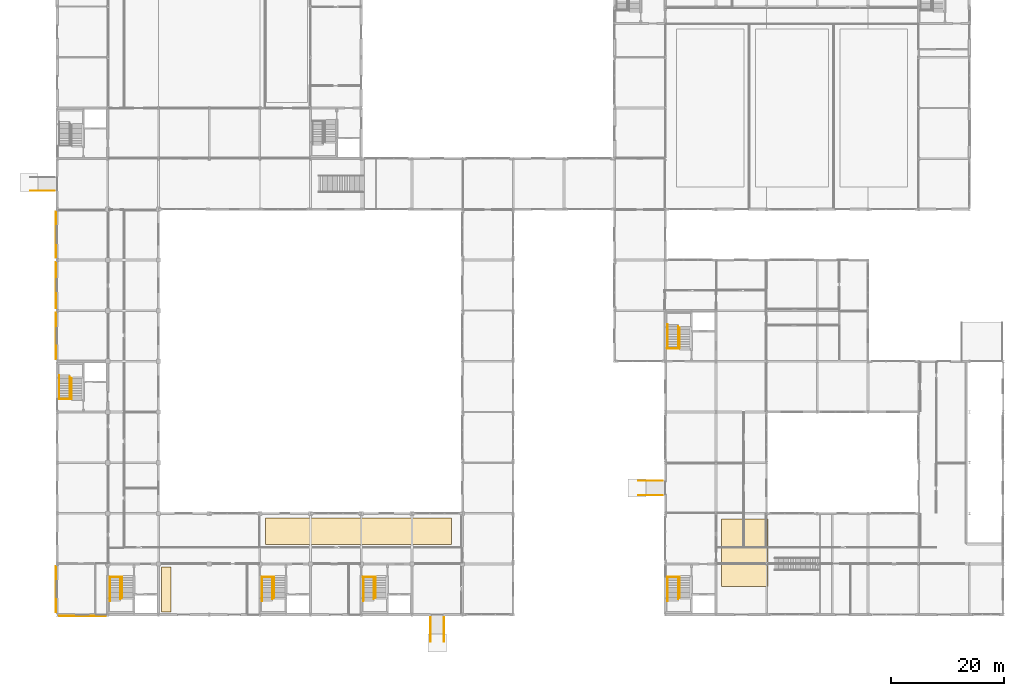
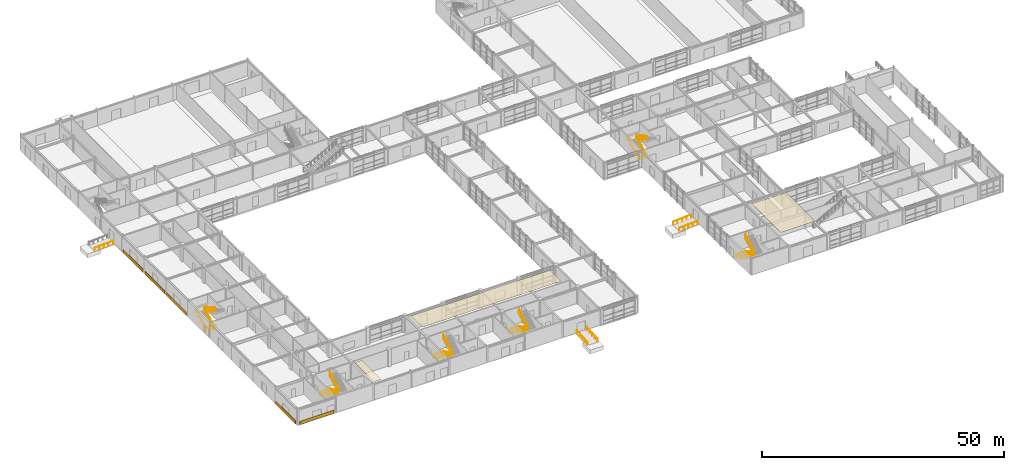
# One storey, part 70 of 72: 23 railings, 8 coverings.
"""IFC4 building model written with IfcOpenShell, lengths in metres."""

from ifc_helpers import new_model, si_unit, direction, frame, origin, origin_2d, place, context, subcontext, project, spatial, polyline, rectangle, circle, outline, extrude, material, layer, layer_set, type_object, element, save


model = new_model("IFC4")

# Units and contexts
model_context = context("Model", 3, precision=1e-05, world=origin(), true_north=direction((0.0, 1.0)))
body_context = subcontext(model_context, "Body", "Model", "MODEL_VIEW")
ifc_project = project(units=[si_unit("LENGTHUNIT", "METRE"), si_unit("AREAUNIT", "SQUARE_METRE"), si_unit("VOLUMEUNIT", "CUBIC_METRE"), si_unit("PLANEANGLEUNIT", "RADIAN"), si_unit("MASSUNIT", "GRAM", prefix="KILO")], contexts=[model_context])

# Site, building, storey
site_placement = place(None, origin())
site = spatial("IfcSite", under=ifc_project, at=site_placement, CompositionType="ELEMENT")
building_placement = place(site_placement, origin())
building = spatial("IfcBuilding", under=site, at=building_placement, Name="Palais des Congres Ocreval", CompositionType="ELEMENT")
storey_placement = place(building_placement, origin())
storey = spatial("IfcBuildingStorey", under=building, at=storey_placement, Name="L00", CompositionType="ELEMENT", Elevation=0.0)

# Coverings
ifc_material_1 = material(Name="Solid French oak acoustic ceiling", Category="wood")
ifc_layer_1 = layer(ifc_material_1, 0.0400390625)
ifc_layer_set_1 = layer_set([ifc_layer_1], Name="Acoustic Perforated Timber Ceiling 40 (Solid French oak acoustic ceiling)")
covering_type_1 = type_object("IfcCoveringType", Name="Acoustic Perforated Timber Ceiling 40", PredefinedType="CEILING", material=ifc_layer_set_1)
covering_1_placement = place(storey_placement, frame((0.0, 0.0, 4.02490234375)))
element("IfcCovering", 1, at=covering_1_placement, inside=storey, type_object=covering_type_1, Name="Hotel Entrance Lobby West Coffered Ceiling", PredefinedType="CEILING", context=body_context, shape_type="SweptSolid", body=[
    extrude(outline(polyline([(18.5, 0.5), (20.199951171875, 0.5), (20.199951171875, 8.5), (18.5, 8.5), (18.5, 0.5)])), origin(), (0.0, 0.0, 1.0), 0.0400390625),
])
covering_2_placement = place(storey_placement, frame((0.0, 0.0, 4.02490234375)))
element("IfcCovering", 2, at=covering_2_placement, inside=storey, type_object=covering_type_1, Name="Brasserie Restaurant Acoustic Ceiling", PredefinedType="CEILING", context=body_context, shape_type="SweptSolid", body=[
    extrude(outline(polyline([(37.0, 12.5), (70.0, 12.5), (70.0, 17.199951171875), (37.0, 17.199951171875), (37.0, 12.5)])), origin(), (0.0, 0.0, 1.0), 0.0400390625),
])
covering_3_placement = place(storey_placement, frame((0.0, 0.0, 4.02490234375)))
element("IfcCovering", 3, at=covering_3_placement, inside=storey, type_object=covering_type_1, Name="Exhibition Gallery Acoustic Ceiling", PredefinedType="CEILING", context=body_context, shape_type="SweptSolid", body=[
    extrude(outline(polyline([(118.0, 5.0), (126.199951171875, 5.0), (126.199951171875, 17.0), (118.0, 17.0), (118.0, 5.0)])), origin(), (0.0, 0.0, 1.0), 0.0400390625),
])

# Railings
ifc_material_2 = material(Name="Anodized bronze aluminium", Category="aluminium")
railing_type_1 = type_object("IfcRailingType", Name="Bronze Stair and Ramp Handrail 900", PredefinedType="HANDRAIL", material=ifc_material_2)
for number, where, name in (
    (4, (9.3798828125, 6.64990234375, 0.159912109375), "Stair Wall Handrail ST01 L00"),
    (5, (36.3798828125, 6.64990234375, 0.159912109375), "Stair Wall Handrail ST02 L00"),
):
    element("IfcRailing", number, at=place(storey_placement, frame(where)), inside=storey, type_object=railing_type_1, Name=name, PredefinedType="HANDRAIL", context=body_context, shape_type="SweptSolid", body=[
        extrude(circle(Radius=0.02392578125, at=origin_2d()), frame((0.0, 0.0, 0.8759765625), z_axis=(0.0, -0.882351521365, 0.470590897432), x_axis=(1.0, 0.0, 0.0)), (0.0, 0.0, 1.0), 4.760009765625),
        extrude(circle(Radius=0.02099609375, at=origin_2d()), origin(), (0.0, 0.0, 1.0), 0.851806640625),
        extrude(circle(Radius=0.02099609375, at=origin_2d()), frame((0.0, -1.050048828125, 0.56005859375)), (0.0, 0.0, 1.0), 0.851806640625),
        extrude(circle(Radius=0.02099609375, at=origin_2d()), frame((0.0, -2.10009765625, 1.1201171875)), (0.0, 0.0, 1.0), 0.851806640625),
        extrude(circle(Radius=0.02099609375, at=origin_2d()), frame((0.0, -3.14990234375, 1.679931640625)), (0.0, 0.0, 1.0), 0.851806640625),
        extrude(circle(Radius=0.02099609375, at=origin_2d()), frame((0.0, -4.199951171875, 2.239990234375)), (0.0, 0.0, 1.0), 0.851806640625),
    ])
railing_1_placement = place(storey_placement, frame((0.3798828125, 38.35009765625, 0.159912109375)))
element("IfcRailing", 6, at=railing_1_placement, inside=storey, type_object=railing_type_1, Name="Stair Wall Handrail ST03 L00", PredefinedType="HANDRAIL", context=body_context, shape_type="SweptSolid", body=[
    extrude(circle(Radius=0.02392578125, at=origin_2d()), frame((0.0, 0.0, 0.8759765625), z_axis=(0.0, 0.882351521365, 0.470590897432), x_axis=(-1.0, 0.0, 0.0)), (0.0, 0.0, 1.0), 4.760009765625),
    extrude(circle(Radius=0.02099609375, at=origin_2d()), origin(), (0.0, 0.0, 1.0), 0.851806640625),
    extrude(circle(Radius=0.02099609375, at=origin_2d()), frame((0.0, 1.050048828125, 0.56005859375)), (0.0, 0.0, 1.0), 0.851806640625),
    extrude(circle(Radius=0.02099609375, at=origin_2d()), frame((0.0, 2.10009765625, 1.1201171875)), (0.0, 0.0, 1.0), 0.851806640625),
    extrude(circle(Radius=0.02099609375, at=origin_2d()), frame((0.0, 3.14990234375, 1.679931640625)), (0.0, 0.0, 1.0), 0.851806640625),
    extrude(circle(Radius=0.02099609375, at=origin_2d()), frame((0.0, 4.199951171875, 2.239990234375)), (0.0, 0.0, 1.0), 0.851806640625),
])
for number, where, name in (
    (7, (54.3798828125, 6.64990234375, 0.159912109375), "Stair Wall Handrail ST04 L00"),
    (8, (108.3798828125, 6.64990234375, 0.159912109375), "Stair Wall Handrail ST09 L00"),
):
    element("IfcRailing", number, at=place(storey_placement, frame(where)), inside=storey, type_object=railing_type_1, Name=name, PredefinedType="HANDRAIL", context=body_context, shape_type="SweptSolid", body=[
        extrude(circle(Radius=0.02392578125, at=origin_2d()), frame((0.0, 0.0, 0.8759765625), z_axis=(0.0, -0.882351521365, 0.470590897432), x_axis=(1.0, 0.0, 0.0)), (0.0, 0.0, 1.0), 4.760009765625),
        extrude(circle(Radius=0.02099609375, at=origin_2d()), origin(), (0.0, 0.0, 1.0), 0.851806640625),
        extrude(circle(Radius=0.02099609375, at=origin_2d()), frame((0.0, -1.050048828125, 0.56005859375)), (0.0, 0.0, 1.0), 0.851806640625),
        extrude(circle(Radius=0.02099609375, at=origin_2d()), frame((0.0, -2.10009765625, 1.1201171875)), (0.0, 0.0, 1.0), 0.851806640625),
        extrude(circle(Radius=0.02099609375, at=origin_2d()), frame((0.0, -3.14990234375, 1.679931640625)), (0.0, 0.0, 1.0), 0.851806640625),
        extrude(circle(Radius=0.02099609375, at=origin_2d()), frame((0.0, -4.199951171875, 2.239990234375)), (0.0, 0.0, 1.0), 0.851806640625),
    ])
railing_2_placement = place(storey_placement, frame((108.3798828125, 47.35009765625, 0.159912109375)))
element("IfcRailing", 9, at=railing_2_placement, inside=storey, type_object=railing_type_1, Name="Stair Wall Handrail ST10 L00", PredefinedType="HANDRAIL", context=body_context, shape_type="SweptSolid", body=[
    extrude(circle(Radius=0.02392578125, at=origin_2d()), frame((0.0, 0.0, 0.8759765625), z_axis=(0.0, 0.882351521365, 0.470590897432), x_axis=(-1.0, 0.0, 0.0)), (0.0, 0.0, 1.0), 4.760009765625),
    extrude(circle(Radius=0.02099609375, at=origin_2d()), origin(), (0.0, 0.0, 1.0), 0.851806640625),
    extrude(circle(Radius=0.02099609375, at=origin_2d()), frame((0.0, 1.050048828125, 0.56005859375)), (0.0, 0.0, 1.0), 0.851806640625),
    extrude(circle(Radius=0.02099609375, at=origin_2d()), frame((0.0, 2.10009765625, 1.1201171875)), (0.0, 0.0, 1.0), 0.851806640625),
    extrude(circle(Radius=0.02099609375, at=origin_2d()), frame((0.0, 3.14990234375, 1.679931640625)), (0.0, 0.0, 1.0), 0.851806640625),
    extrude(circle(Radius=0.02099609375, at=origin_2d()), frame((0.0, 4.199951171875, 2.239990234375)), (0.0, 0.0, 1.0), 0.851806640625),
])
railing_3_placement = place(storey_placement, frame((-4.800048828125, 75.31005859375, -0.280029296875)))
element("IfcRailing", 10, at=railing_3_placement, inside=storey, type_object=railing_type_1, Name="West Forecourt Accessible PMR Ramp R3 Handrail 1L", PredefinedType="HANDRAIL", context=body_context, shape_type="SweptSolid", body=[
    extrude(circle(Radius=0.02392578125, at=origin_2d()), frame((0.0, 0.0, 0.8759765625), z_axis=(0.998300931723, 0.0, 0.05826877141), x_axis=(0.0, 1.0, 0.0)), (0.0, 0.0, 1.0), 4.357421875),
    extrude(circle(Radius=0.02099609375, at=origin_2d()), origin(), (0.0, 0.0, 1.0), 0.851806640625),
    extrude(circle(Radius=0.02099609375, at=origin_2d()), frame((1.08740234375, 0.0, 0.0634765625)), (0.0, 0.0, 1.0), 0.851806640625),
    extrude(circle(Radius=0.02099609375, at=origin_2d()), frame((2.175048828125, 0.0, 0.126953125)), (0.0, 0.0, 1.0), 0.851806640625),
    extrude(circle(Radius=0.02099609375, at=origin_2d()), frame((3.2626953125, 0.0, 0.1904296875)), (0.0, 0.0, 1.0), 0.851806640625),
    extrude(circle(Radius=0.02099609375, at=origin_2d()), frame((4.35009765625, 0.0, 0.25390625)), (0.0, 0.0, 1.0), 0.851806640625),
])
for number, where, name in (
    (11, (68.68994140625, -4.800048828125, -0.280029296875), "South Crossroads Accessible PMR Ramp R4 Handrail 1L"),
    (12, (66.31005859375, -4.800048828125, -0.280029296875), "South Crossroads Accessible PMR Ramp R4 Handrail 1R"),
):
    element("IfcRailing", number, at=place(storey_placement, frame(where)), inside=storey, type_object=railing_type_1, Name=name, PredefinedType="HANDRAIL", context=body_context, shape_type="SweptSolid", body=[
        extrude(circle(Radius=0.02392578125, at=origin_2d()), frame((0.0, 0.0, 0.8759765625), z_axis=(0.0, 0.998300931723, 0.05826877141), x_axis=(-1.0, 0.0, 0.0)), (0.0, 0.0, 1.0), 4.357421875),
        extrude(circle(Radius=0.02099609375, at=origin_2d()), origin(), (0.0, 0.0, 1.0), 0.851806640625),
        extrude(circle(Radius=0.02099609375, at=origin_2d()), frame((0.0, 1.08740234375, 0.0634765625)), (0.0, 0.0, 1.0), 0.851806640625),
        extrude(circle(Radius=0.02099609375, at=origin_2d()), frame((0.0, 2.175048828125, 0.126953125)), (0.0, 0.0, 1.0), 0.851806640625),
        extrude(circle(Radius=0.02099609375, at=origin_2d()), frame((0.0, 3.2626953125, 0.1904296875)), (0.0, 0.0, 1.0), 0.851806640625),
        extrude(circle(Radius=0.02099609375, at=origin_2d()), frame((0.0, 4.35009765625, 0.25390625)), (0.0, 0.0, 1.0), 0.851806640625),
    ])
for number, where, name in (
    (13, (103.199951171875, 21.2099609375, -0.280029296875), "Cour d Ocre Cloister Accessible PMR Ramp R5 Handrail 1L"),
    (14, (103.199951171875, 23.7900390625, -0.280029296875), "Cour d Ocre Cloister Accessible PMR Ramp R5 Handrail 1R"),
):
    element("IfcRailing", number, at=place(storey_placement, frame(where)), inside=storey, type_object=railing_type_1, Name=name, PredefinedType="HANDRAIL", context=body_context, shape_type="SweptSolid", body=[
        extrude(circle(Radius=0.02392578125, at=origin_2d()), frame((0.0, 0.0, 0.8759765625), z_axis=(0.998304189288, 0.0, 0.0582129337), x_axis=(0.0, 1.0, 0.0)), (0.0, 0.0, 1.0), 4.357421875),
        extrude(circle(Radius=0.02099609375, at=origin_2d()), origin(), (0.0, 0.0, 1.0), 0.851806640625),
        extrude(circle(Radius=0.02099609375, at=origin_2d()), frame((1.08740234375, 0.0, 0.0634765625)), (0.0, 0.0, 1.0), 0.851806640625),
        extrude(circle(Radius=0.02099609375, at=origin_2d()), frame((2.175048828125, 0.0, 0.126953125)), (0.0, 0.0, 1.0), 0.851806640625),
        extrude(circle(Radius=0.02099609375, at=origin_2d()), frame((3.2626953125, 0.0, 0.190185546875)), (0.0, 0.0, 1.0), 0.851806640625),
        extrude(circle(Radius=0.02099609375, at=origin_2d()), frame((4.35009765625, 0.0, 0.253662109375)), (0.0, 0.0, 1.0), 0.851806640625),
    ])

# Coverings
ifc_material_3 = material(Name="Saint-Maximin Lutetian limestone ashlar", Category="masonry")
ifc_layer_2 = layer(ifc_material_3, 0.050048828125)
ifc_layer_set_2 = layer_set([ifc_layer_2], Name="Saint-Maximin Limestone Facade Cladding 50 (Saint-Maximin Lutetian limestone ashlar)")
covering_type_2 = type_object("IfcCoveringType", Name="Saint-Maximin Limestone Facade Cladding 50", PredefinedType="CLADDING", material=ifc_layer_set_2)
for number, where, z_axis, x_axis, name in (
    (15, (4.5, -0.215087890625, 0.02490234375), (0.0, 0.0, 1.0), (-1.0, 0.0, 0.0), "Lutetian Limestone Plinth Cladding CV02"),
    (16, (-0.215087890625, 4.5, 0.02490234375), (0.0, 0.0, 1.0), (0.0, 1.0, 0.0), "Lutetian Limestone Plinth Cladding CV02"),
    (17, (-0.215087890625, 49.5, 0.02490234375), (0.0, 0.0, 1.0), (0.0, 1.0, 0.0), "Lutetian Limestone Plinth Cladding CV02"),
    (18, (-0.215087890625, 58.5, 0.02490234375), (0.0, 0.0, 1.0), (0.0, 1.0, 0.0), "Lutetian Limestone Plinth Cladding CV02"),
    (19, (-0.215087890625, 67.5, 0.02490234375), (0.0, 0.0, 1.0), (0.0, 1.0, 0.0), "Lutetian Limestone Plinth Cladding CV02"),
):
    element("IfcCovering", number, at=place(storey_placement, frame(where, z_axis=z_axis, x_axis=x_axis)), inside=storey, type_object=covering_type_2, Name=name, PredefinedType="CLADDING", context=body_context, shape_type="SweptSolid", body=[
        extrude(rectangle(XDim=8.199951171875, YDim=0.050048828125, at=origin_2d()), origin(), (0.0, 0.0, 1.0), 0.85009765625),
    ])

# Railings
ifc_material_4 = material(Name="Steel S355", Category="steel")
railing_type_2 = type_object("IfcRailingType", Name="Stairwell Steel Guardrail 1100", PredefinedType="GUARDRAIL", material=ifc_material_4)
railing_4_placement = place(storey_placement, frame((9.320068359375, 6.699951171875, 0.0)))
element("IfcRailing", 20, at=railing_4_placement, inside=storey, type_object=railing_type_2, Name="Stairwell Landing Edge Guard ST01 L00", PredefinedType="GUARDRAIL", context=body_context, shape_type="SweptSolid", body=[
    extrude(circle(Radius=0.02392578125, at=origin_2d()), frame((0.0, 0.0, 1.076171875), z_axis=(1.0, 0.0, 0.0), x_axis=(0.0, 1.0, 0.0)), (0.0, 0.0, 1.0), 2.25),
    extrude(circle(Radius=0.02099609375, at=origin_2d()), origin(), (0.0, 0.0, 1.0), 1.052001953125),
    extrude(circle(Radius=0.02099609375, at=origin_2d()), frame((0.75, 0.0, 0.0)), (0.0, 0.0, 1.0), 1.052001953125),
    extrude(circle(Radius=0.02099609375, at=origin_2d()), frame((1.5, 0.0, 0.0)), (0.0, 0.0, 1.0), 1.052001953125),
    extrude(circle(Radius=0.02099609375, at=origin_2d()), frame((2.25, 0.0, 0.0)), (0.0, 0.0, 1.0), 1.052001953125),
])
railing_5_placement = place(storey_placement, frame((11.22998046875, 6.64990234375, 0.0)))
element("IfcRailing", 21, at=railing_5_placement, inside=storey, type_object=railing_type_2, Name="Stair Inner Guardrail ST01 L00", PredefinedType="GUARDRAIL", context=body_context, shape_type="SweptSolid", body=[
    extrude(circle(Radius=0.02392578125, at=origin_2d()), frame((0.0, 0.0, 1.076171875), z_axis=(0.0, -0.867141957756, 0.498061065632), x_axis=(1.0, 0.0, 0.0)), (0.0, 0.0, 1.0), 4.497314453125),
    extrude(circle(Radius=0.02392578125, at=origin_2d()), frame((0.0, -3.89990234375, 3.31591796875), z_axis=(0.749869273535, 0.661586028123, 0.0), x_axis=(-0.661586028123, 0.749869273535, 0.0)), (0.0, 0.0, 1.0), 0.45361328125),
    extrude(circle(Radius=0.02392578125, at=origin_2d()), frame((0.340087890625, -3.599853515625, 3.31591796875), z_axis=(0.0, 0.865848115047, 0.500306947453), x_axis=(-1.0, 0.0, 0.0)), (0.0, 0.0, 1.0), 4.15771484375),
    extrude(circle(Radius=0.02099609375, at=origin_2d()), origin(), (0.0, 0.0, 1.0), 1.052001953125),
    extrude(circle(Radius=0.02099609375, at=origin_2d()), frame((0.0, -0.780029296875, 0.447998046875)), (0.0, 0.0, 1.0), 1.052001953125),
    extrude(circle(Radius=0.02099609375, at=origin_2d()), frame((0.0, -1.56005859375, 0.89599609375)), (0.0, 0.0, 1.0), 1.052001953125),
    extrude(circle(Radius=0.02099609375, at=origin_2d()), frame((0.0, -2.33984375, 1.343994140625)), (0.0, 0.0, 1.0), 1.052001953125),
    extrude(circle(Radius=0.02099609375, at=origin_2d()), frame((0.0, -3.119873046875, 1.7919921875)), (0.0, 0.0, 1.0), 1.052001953125),
    extrude(circle(Radius=0.02099609375, at=origin_2d()), frame((0.0, -3.89990234375, 2.239990234375)), (0.0, 0.0, 1.0), 1.052001953125),
    extrude(circle(Radius=0.02099609375, at=origin_2d()), frame((0.340087890625, -3.599853515625, 2.239990234375)), (0.0, 0.0, 1.0), 1.052001953125),
    extrude(circle(Radius=0.02099609375, at=origin_2d()), frame((0.340087890625, -2.699951171875, 2.760009765625)), (0.0, 0.0, 1.0), 1.052001953125),
    extrude(circle(Radius=0.02099609375, at=origin_2d()), frame((0.340087890625, -1.7998046875, 3.280029296875)), (0.0, 0.0, 1.0), 1.052001953125),
    extrude(circle(Radius=0.02099609375, at=origin_2d()), frame((0.340087890625, -0.89990234375, 3.800048828125)), (0.0, 0.0, 1.0), 1.052001953125),
    extrude(circle(Radius=0.02099609375, at=origin_2d()), frame((0.340087890625, 0.0, 4.320068359375)), (0.0, 0.0, 1.0), 1.052001953125),
])
railing_6_placement = place(storey_placement, frame((36.320068359375, 6.699951171875, 0.0)))
element("IfcRailing", 22, at=railing_6_placement, inside=storey, type_object=railing_type_2, Name="Stairwell Landing Edge Guard ST02 L00", PredefinedType="GUARDRAIL", context=body_context, shape_type="SweptSolid", body=[
    extrude(circle(Radius=0.02392578125, at=origin_2d()), frame((0.0, 0.0, 1.076171875), z_axis=(1.0, 0.0, 0.0), x_axis=(0.0, 1.0, 0.0)), (0.0, 0.0, 1.0), 2.25),
    extrude(circle(Radius=0.02099609375, at=origin_2d()), origin(), (0.0, 0.0, 1.0), 1.052001953125),
    extrude(circle(Radius=0.02099609375, at=origin_2d()), frame((0.75, 0.0, 0.0)), (0.0, 0.0, 1.0), 1.052001953125),
    extrude(circle(Radius=0.02099609375, at=origin_2d()), frame((1.5, 0.0, 0.0)), (0.0, 0.0, 1.0), 1.052001953125),
    extrude(circle(Radius=0.02099609375, at=origin_2d()), frame((2.25, 0.0, 0.0)), (0.0, 0.0, 1.0), 1.052001953125),
])
railing_7_placement = place(storey_placement, frame((38.22998046875, 6.64990234375, 0.0)))
element("IfcRailing", 23, at=railing_7_placement, inside=storey, type_object=railing_type_2, Name="Stair Inner Guardrail ST02 L00", PredefinedType="GUARDRAIL", context=body_context, shape_type="SweptSolid", body=[
    extrude(circle(Radius=0.02392578125, at=origin_2d()), frame((0.0, 0.0, 1.076171875), z_axis=(0.0, -0.867141957756, 0.498061065632), x_axis=(1.0, 0.0, 0.0)), (0.0, 0.0, 1.0), 4.497314453125),
    extrude(circle(Radius=0.02392578125, at=origin_2d()), frame((0.0, -3.89990234375, 3.31591796875), z_axis=(0.749869273535, 0.661586028123, 0.0), x_axis=(-0.661586028123, 0.749869273535, 0.0)), (0.0, 0.0, 1.0), 0.45361328125),
    extrude(circle(Radius=0.02392578125, at=origin_2d()), frame((0.340087890625, -3.599853515625, 3.31591796875), z_axis=(0.0, 0.865848115047, 0.500306947453), x_axis=(-1.0, 0.0, 0.0)), (0.0, 0.0, 1.0), 4.15771484375),
    extrude(circle(Radius=0.02099609375, at=origin_2d()), origin(), (0.0, 0.0, 1.0), 1.052001953125),
    extrude(circle(Radius=0.02099609375, at=origin_2d()), frame((0.0, -0.780029296875, 0.447998046875)), (0.0, 0.0, 1.0), 1.052001953125),
    extrude(circle(Radius=0.02099609375, at=origin_2d()), frame((0.0, -1.56005859375, 0.89599609375)), (0.0, 0.0, 1.0), 1.052001953125),
    extrude(circle(Radius=0.02099609375, at=origin_2d()), frame((0.0, -2.33984375, 1.343994140625)), (0.0, 0.0, 1.0), 1.052001953125),
    extrude(circle(Radius=0.02099609375, at=origin_2d()), frame((0.0, -3.119873046875, 1.7919921875)), (0.0, 0.0, 1.0), 1.052001953125),
    extrude(circle(Radius=0.02099609375, at=origin_2d()), frame((0.0, -3.89990234375, 2.239990234375)), (0.0, 0.0, 1.0), 1.052001953125),
    extrude(circle(Radius=0.02099609375, at=origin_2d()), frame((0.340087890625, -3.599853515625, 2.239990234375)), (0.0, 0.0, 1.0), 1.052001953125),
    extrude(circle(Radius=0.02099609375, at=origin_2d()), frame((0.340087890625, -2.699951171875, 2.760009765625)), (0.0, 0.0, 1.0), 1.052001953125),
    extrude(circle(Radius=0.02099609375, at=origin_2d()), frame((0.340087890625, -1.7998046875, 3.280029296875)), (0.0, 0.0, 1.0), 1.052001953125),
    extrude(circle(Radius=0.02099609375, at=origin_2d()), frame((0.340087890625, -0.89990234375, 3.800048828125)), (0.0, 0.0, 1.0), 1.052001953125),
    extrude(circle(Radius=0.02099609375, at=origin_2d()), frame((0.340087890625, 0.0, 4.320068359375)), (0.0, 0.0, 1.0), 1.052001953125),
])
railing_8_placement = place(storey_placement, frame((0.320068359375, 38.300048828125, 0.0)))
element("IfcRailing", 24, at=railing_8_placement, inside=storey, type_object=railing_type_2, Name="Stairwell Landing Edge Guard ST03 L00", PredefinedType="GUARDRAIL", context=body_context, shape_type="SweptSolid", body=[
    extrude(circle(Radius=0.02392578125, at=origin_2d()), frame((0.0, 0.0, 1.076171875), z_axis=(1.0, 0.0, 0.0), x_axis=(0.0, 1.0, 0.0)), (0.0, 0.0, 1.0), 2.25),
    extrude(circle(Radius=0.02099609375, at=origin_2d()), origin(), (0.0, 0.0, 1.0), 1.052001953125),
    extrude(circle(Radius=0.02099609375, at=origin_2d()), frame((0.75, 0.0, 0.0)), (0.0, 0.0, 1.0), 1.052001953125),
    extrude(circle(Radius=0.02099609375, at=origin_2d()), frame((1.5, 0.0, 0.0)), (0.0, 0.0, 1.0), 1.052001953125),
    extrude(circle(Radius=0.02099609375, at=origin_2d()), frame((2.25, 0.0, 0.0)), (0.0, 0.0, 1.0), 1.052001953125),
])
railing_9_placement = place(storey_placement, frame((2.22998046875, 38.35009765625, 0.0)))
element("IfcRailing", 25, at=railing_9_placement, inside=storey, type_object=railing_type_2, Name="Stair Inner Guardrail ST03 L00", PredefinedType="GUARDRAIL", context=body_context, shape_type="SweptSolid", body=[
    extrude(circle(Radius=0.02392578125, at=origin_2d()), frame((0.0, 0.0, 1.076171875), z_axis=(0.0, 0.867141957756, 0.498061065632), x_axis=(-1.0, 0.0, 0.0)), (0.0, 0.0, 1.0), 4.497314453125),
    extrude(circle(Radius=0.02392578125, at=origin_2d()), frame((0.0, 3.89990234375, 3.31591796875), z_axis=(0.749869273535, -0.661586028123, 0.0), x_axis=(0.661586028123, 0.749869273535, 0.0)), (0.0, 0.0, 1.0), 0.45361328125),
    extrude(circle(Radius=0.02392578125, at=origin_2d()), frame((0.340087890625, 3.599853515625, 3.31591796875), z_axis=(0.0, -0.865848115047, 0.500306947453), x_axis=(1.0, 0.0, 0.0)), (0.0, 0.0, 1.0), 4.15771484375),
    extrude(circle(Radius=0.02099609375, at=origin_2d()), origin(), (0.0, 0.0, 1.0), 1.052001953125),
    extrude(circle(Radius=0.02099609375, at=origin_2d()), frame((0.0, 0.780029296875, 0.447998046875)), (0.0, 0.0, 1.0), 1.052001953125),
    extrude(circle(Radius=0.02099609375, at=origin_2d()), frame((0.0, 1.56005859375, 0.89599609375)), (0.0, 0.0, 1.0), 1.052001953125),
    extrude(circle(Radius=0.02099609375, at=origin_2d()), frame((0.0, 2.33984375, 1.343994140625)), (0.0, 0.0, 1.0), 1.052001953125),
    extrude(circle(Radius=0.02099609375, at=origin_2d()), frame((0.0, 3.119873046875, 1.7919921875)), (0.0, 0.0, 1.0), 1.052001953125),
    extrude(circle(Radius=0.02099609375, at=origin_2d()), frame((0.0, 3.89990234375, 2.239990234375)), (0.0, 0.0, 1.0), 1.052001953125),
    extrude(circle(Radius=0.02099609375, at=origin_2d()), frame((0.340087890625, 3.599853515625, 2.239990234375)), (0.0, 0.0, 1.0), 1.052001953125),
    extrude(circle(Radius=0.02099609375, at=origin_2d()), frame((0.340087890625, 2.699951171875, 2.760009765625)), (0.0, 0.0, 1.0), 1.052001953125),
    extrude(circle(Radius=0.02099609375, at=origin_2d()), frame((0.340087890625, 1.7998046875, 3.280029296875)), (0.0, 0.0, 1.0), 1.052001953125),
    extrude(circle(Radius=0.02099609375, at=origin_2d()), frame((0.340087890625, 0.89990234375, 3.800048828125)), (0.0, 0.0, 1.0), 1.052001953125),
    extrude(circle(Radius=0.02099609375, at=origin_2d()), frame((0.340087890625, 0.0, 4.320068359375)), (0.0, 0.0, 1.0), 1.052001953125),
])
railing_10_placement = place(storey_placement, frame((54.320068359375, 6.699951171875, 0.0)))
element("IfcRailing", 26, at=railing_10_placement, inside=storey, type_object=railing_type_2, Name="Stairwell Landing Edge Guard ST04 L00", PredefinedType="GUARDRAIL", context=body_context, shape_type="SweptSolid", body=[
    extrude(circle(Radius=0.02392578125, at=origin_2d()), frame((0.0, 0.0, 1.076171875), z_axis=(1.0, 0.0, 0.0), x_axis=(0.0, 1.0, 0.0)), (0.0, 0.0, 1.0), 2.25),
    extrude(circle(Radius=0.02099609375, at=origin_2d()), origin(), (0.0, 0.0, 1.0), 1.052001953125),
    extrude(circle(Radius=0.02099609375, at=origin_2d()), frame((0.75, 0.0, 0.0)), (0.0, 0.0, 1.0), 1.052001953125),
    extrude(circle(Radius=0.02099609375, at=origin_2d()), frame((1.5, 0.0, 0.0)), (0.0, 0.0, 1.0), 1.052001953125),
    extrude(circle(Radius=0.02099609375, at=origin_2d()), frame((2.25, 0.0, 0.0)), (0.0, 0.0, 1.0), 1.052001953125),
])
railing_11_placement = place(storey_placement, frame((56.22998046875, 6.64990234375, 0.0)))
element("IfcRailing", 27, at=railing_11_placement, inside=storey, type_object=railing_type_2, Name="Stair Inner Guardrail ST04 L00", PredefinedType="GUARDRAIL", context=body_context, shape_type="SweptSolid", body=[
    extrude(circle(Radius=0.02392578125, at=origin_2d()), frame((0.0, 0.0, 1.076171875), z_axis=(0.0, -0.867141957756, 0.498061065632), x_axis=(1.0, 0.0, 0.0)), (0.0, 0.0, 1.0), 4.497314453125),
    extrude(circle(Radius=0.02392578125, at=origin_2d()), frame((0.0, -3.89990234375, 3.31591796875), z_axis=(0.749869273535, 0.661586028123, 0.0), x_axis=(-0.661586028123, 0.749869273535, 0.0)), (0.0, 0.0, 1.0), 0.45361328125),
    extrude(circle(Radius=0.02392578125, at=origin_2d()), frame((0.340087890625, -3.599853515625, 3.31591796875), z_axis=(0.0, 0.865848115047, 0.500306947453), x_axis=(-1.0, 0.0, 0.0)), (0.0, 0.0, 1.0), 4.15771484375),
    extrude(circle(Radius=0.02099609375, at=origin_2d()), origin(), (0.0, 0.0, 1.0), 1.052001953125),
    extrude(circle(Radius=0.02099609375, at=origin_2d()), frame((0.0, -0.780029296875, 0.447998046875)), (0.0, 0.0, 1.0), 1.052001953125),
    extrude(circle(Radius=0.02099609375, at=origin_2d()), frame((0.0, -1.56005859375, 0.89599609375)), (0.0, 0.0, 1.0), 1.052001953125),
    extrude(circle(Radius=0.02099609375, at=origin_2d()), frame((0.0, -2.33984375, 1.343994140625)), (0.0, 0.0, 1.0), 1.052001953125),
    extrude(circle(Radius=0.02099609375, at=origin_2d()), frame((0.0, -3.119873046875, 1.7919921875)), (0.0, 0.0, 1.0), 1.052001953125),
    extrude(circle(Radius=0.02099609375, at=origin_2d()), frame((0.0, -3.89990234375, 2.239990234375)), (0.0, 0.0, 1.0), 1.052001953125),
    extrude(circle(Radius=0.02099609375, at=origin_2d()), frame((0.340087890625, -3.599853515625, 2.239990234375)), (0.0, 0.0, 1.0), 1.052001953125),
    extrude(circle(Radius=0.02099609375, at=origin_2d()), frame((0.340087890625, -2.699951171875, 2.760009765625)), (0.0, 0.0, 1.0), 1.052001953125),
    extrude(circle(Radius=0.02099609375, at=origin_2d()), frame((0.340087890625, -1.7998046875, 3.280029296875)), (0.0, 0.0, 1.0), 1.052001953125),
    extrude(circle(Radius=0.02099609375, at=origin_2d()), frame((0.340087890625, -0.89990234375, 3.800048828125)), (0.0, 0.0, 1.0), 1.052001953125),
    extrude(circle(Radius=0.02099609375, at=origin_2d()), frame((0.340087890625, 0.0, 4.320068359375)), (0.0, 0.0, 1.0), 1.052001953125),
])
railing_12_placement = place(storey_placement, frame((108.320068359375, 6.699951171875, 0.0)))
element("IfcRailing", 28, at=railing_12_placement, inside=storey, type_object=railing_type_2, Name="Stairwell Landing Edge Guard ST09 L00", PredefinedType="GUARDRAIL", context=body_context, shape_type="SweptSolid", body=[
    extrude(circle(Radius=0.02392578125, at=origin_2d()), frame((0.0, 0.0, 1.076171875), z_axis=(1.0, 0.0, 0.0), x_axis=(0.0, 1.0, 0.0)), (0.0, 0.0, 1.0), 2.199951171875),
    extrude(circle(Radius=0.02099609375, at=origin_2d()), origin(), (0.0, 0.0, 1.0), 1.052001953125),
    extrude(circle(Radius=0.02099609375, at=origin_2d()), frame((0.7333984375, 0.0, 0.0)), (0.0, 0.0, 1.0), 1.052001953125),
    extrude(circle(Radius=0.02099609375, at=origin_2d()), frame((1.466552734375, 0.0, 0.0)), (0.0, 0.0, 1.0), 1.052001953125),
    extrude(circle(Radius=0.02099609375, at=origin_2d()), frame((2.199951171875, 0.0, 0.0)), (0.0, 0.0, 1.0), 1.052001953125),
])
railing_13_placement = place(storey_placement, frame((110.280029296875, 6.64990234375, 0.0)))
element("IfcRailing", 29, at=railing_13_placement, inside=storey, type_object=railing_type_2, Name="Stair Inner Guardrail ST09 L00", PredefinedType="GUARDRAIL", context=body_context, shape_type="SweptSolid", body=[
    extrude(circle(Radius=0.02392578125, at=origin_2d()), frame((0.0, 0.0, 1.076171875), z_axis=(0.0, -0.867141957756, 0.498061065632), x_axis=(1.0, 0.0, 0.0)), (0.0, 0.0, 1.0), 4.497314453125),
    extrude(circle(Radius=0.02392578125, at=origin_2d()), frame((0.0, -3.89990234375, 3.31591796875), z_axis=(0.624617554273, 0.780930797763, 0.0), x_axis=(-0.780930797763, 0.624617554273, 0.0)), (0.0, 0.0, 1.0), 0.38427734375),
    extrude(circle(Radius=0.02392578125, at=origin_2d()), frame((0.239990234375, -3.599853515625, 3.31591796875), z_axis=(0.0, 0.865848115047, 0.500306947453), x_axis=(-1.0, 0.0, 0.0)), (0.0, 0.0, 1.0), 4.15771484375),
    extrude(circle(Radius=0.02099609375, at=origin_2d()), origin(), (0.0, 0.0, 1.0), 1.052001953125),
    extrude(circle(Radius=0.02099609375, at=origin_2d()), frame((0.0, -0.780029296875, 0.447998046875)), (0.0, 0.0, 1.0), 1.052001953125),
    extrude(circle(Radius=0.02099609375, at=origin_2d()), frame((0.0, -1.56005859375, 0.89599609375)), (0.0, 0.0, 1.0), 1.052001953125),
    extrude(circle(Radius=0.02099609375, at=origin_2d()), frame((0.0, -2.33984375, 1.343994140625)), (0.0, 0.0, 1.0), 1.052001953125),
    extrude(circle(Radius=0.02099609375, at=origin_2d()), frame((0.0, -3.119873046875, 1.7919921875)), (0.0, 0.0, 1.0), 1.052001953125),
    extrude(circle(Radius=0.02099609375, at=origin_2d()), frame((0.0, -3.89990234375, 2.239990234375)), (0.0, 0.0, 1.0), 1.052001953125),
    extrude(circle(Radius=0.02099609375, at=origin_2d()), frame((0.239990234375, -3.599853515625, 2.239990234375)), (0.0, 0.0, 1.0), 1.052001953125),
    extrude(circle(Radius=0.02099609375, at=origin_2d()), frame((0.239990234375, -2.699951171875, 2.760009765625)), (0.0, 0.0, 1.0), 1.052001953125),
    extrude(circle(Radius=0.02099609375, at=origin_2d()), frame((0.239990234375, -1.7998046875, 3.280029296875)), (0.0, 0.0, 1.0), 1.052001953125),
    extrude(circle(Radius=0.02099609375, at=origin_2d()), frame((0.239990234375, -0.89990234375, 3.800048828125)), (0.0, 0.0, 1.0), 1.052001953125),
    extrude(circle(Radius=0.02099609375, at=origin_2d()), frame((0.239990234375, 0.0, 4.320068359375)), (0.0, 0.0, 1.0), 1.052001953125),
])
railing_14_placement = place(storey_placement, frame((108.320068359375, 47.300048828125, 0.0)))
element("IfcRailing", 30, at=railing_14_placement, inside=storey, type_object=railing_type_2, Name="Stairwell Landing Edge Guard ST10 L00", PredefinedType="GUARDRAIL", context=body_context, shape_type="SweptSolid", body=[
    extrude(circle(Radius=0.02392578125, at=origin_2d()), frame((0.0, 0.0, 1.076171875), z_axis=(1.0, 0.0, 0.0), x_axis=(0.0, 1.0, 0.0)), (0.0, 0.0, 1.0), 2.199951171875),
    extrude(circle(Radius=0.02099609375, at=origin_2d()), origin(), (0.0, 0.0, 1.0), 1.052001953125),
    extrude(circle(Radius=0.02099609375, at=origin_2d()), frame((0.7333984375, 0.0, 0.0)), (0.0, 0.0, 1.0), 1.052001953125),
    extrude(circle(Radius=0.02099609375, at=origin_2d()), frame((1.466552734375, 0.0, 0.0)), (0.0, 0.0, 1.0), 1.052001953125),
    extrude(circle(Radius=0.02099609375, at=origin_2d()), frame((2.199951171875, 0.0, 0.0)), (0.0, 0.0, 1.0), 1.052001953125),
])
railing_15_placement = place(storey_placement, frame((110.280029296875, 47.35009765625, 0.0)))
element("IfcRailing", 31, at=railing_15_placement, inside=storey, type_object=railing_type_2, Name="Stair Inner Guardrail ST10 L00", PredefinedType="GUARDRAIL", context=body_context, shape_type="SweptSolid", body=[
    extrude(circle(Radius=0.02392578125, at=origin_2d()), frame((0.0, 0.0, 1.076171875), z_axis=(0.0, 0.867141957756, 0.498061065632), x_axis=(-1.0, 0.0, 0.0)), (0.0, 0.0, 1.0), 4.497314453125),
    extrude(circle(Radius=0.02392578125, at=origin_2d()), frame((0.0, 3.89990234375, 3.31591796875), z_axis=(0.624617554273, -0.780930797763, 0.0), x_axis=(0.780930797763, 0.624617554273, 0.0)), (0.0, 0.0, 1.0), 0.38427734375),
    extrude(circle(Radius=0.02392578125, at=origin_2d()), frame((0.239990234375, 3.599853515625, 3.31591796875), z_axis=(0.0, -0.865848115047, 0.500306947453), x_axis=(1.0, 0.0, 0.0)), (0.0, 0.0, 1.0), 4.15771484375),
    extrude(circle(Radius=0.02099609375, at=origin_2d()), origin(), (0.0, 0.0, 1.0), 1.052001953125),
    extrude(circle(Radius=0.02099609375, at=origin_2d()), frame((0.0, 0.780029296875, 0.447998046875)), (0.0, 0.0, 1.0), 1.052001953125),
    extrude(circle(Radius=0.02099609375, at=origin_2d()), frame((0.0, 1.56005859375, 0.89599609375)), (0.0, 0.0, 1.0), 1.052001953125),
    extrude(circle(Radius=0.02099609375, at=origin_2d()), frame((0.0, 2.33984375, 1.343994140625)), (0.0, 0.0, 1.0), 1.052001953125),
    extrude(circle(Radius=0.02099609375, at=origin_2d()), frame((0.0, 3.119873046875, 1.7919921875)), (0.0, 0.0, 1.0), 1.052001953125),
    extrude(circle(Radius=0.02099609375, at=origin_2d()), frame((0.0, 3.89990234375, 2.239990234375)), (0.0, 0.0, 1.0), 1.052001953125),
    extrude(circle(Radius=0.02099609375, at=origin_2d()), frame((0.239990234375, 3.599853515625, 2.239990234375)), (0.0, 0.0, 1.0), 1.052001953125),
    extrude(circle(Radius=0.02099609375, at=origin_2d()), frame((0.239990234375, 2.699951171875, 2.760009765625)), (0.0, 0.0, 1.0), 1.052001953125),
    extrude(circle(Radius=0.02099609375, at=origin_2d()), frame((0.239990234375, 1.7998046875, 3.280029296875)), (0.0, 0.0, 1.0), 1.052001953125),
    extrude(circle(Radius=0.02099609375, at=origin_2d()), frame((0.239990234375, 0.89990234375, 3.800048828125)), (0.0, 0.0, 1.0), 1.052001953125),
    extrude(circle(Radius=0.02099609375, at=origin_2d()), frame((0.239990234375, 0.0, 4.320068359375)), (0.0, 0.0, 1.0), 1.052001953125),
])

save(model, "model.ifc")
